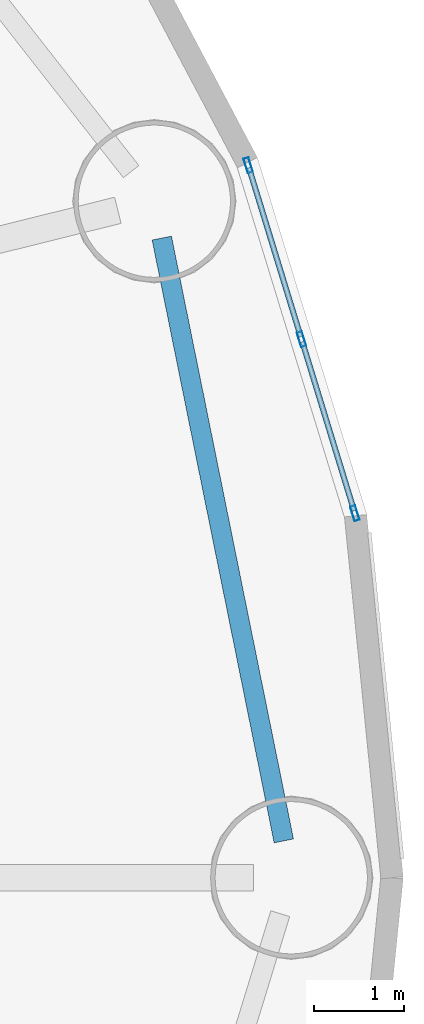
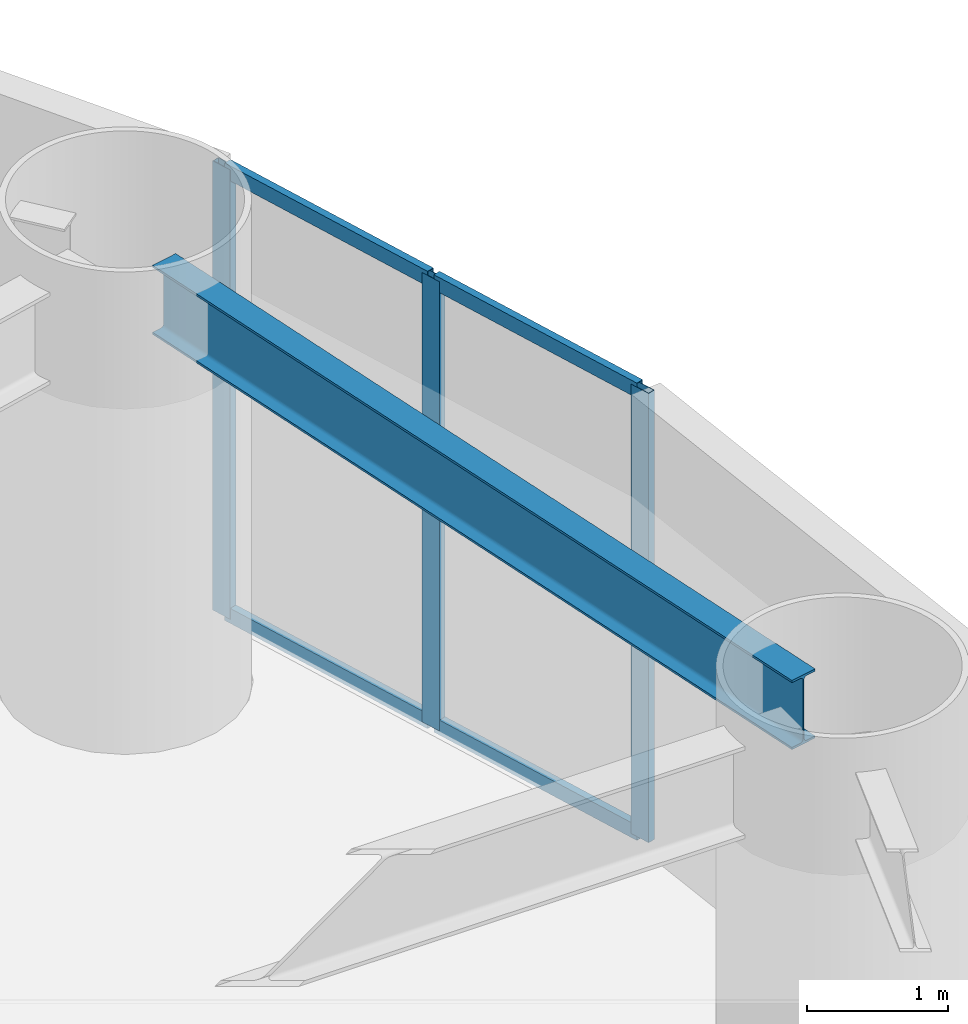
# One storey, part 11 of 30: 7 members, 1 beam, 1 element without a shape of its own.
"""IFC4 building model written with IfcOpenShell, lengths in metres."""

from ifc_helpers import new_model, si_unit, direction, frame, origin, origin_2d, place, context, subcontext, project, spatial, hollow_rectangle, i_section, extrude, source, transform, mapped, material, layer, layer_set, material_profile, profile_set, type_object, element, aggregate, save


model = new_model("IFC4")

# Units and contexts
model_context = context("Model", 3, precision=1e-05, world=origin(), true_north=direction((0.0, 1.0)))
body_context = subcontext(model_context, "Body", "Model", "MODEL_VIEW")
ifc_project = project(units=[si_unit("LENGTHUNIT", "METRE"), si_unit("AREAUNIT", "SQUARE_METRE"), si_unit("VOLUMEUNIT", "CUBIC_METRE"), si_unit("PLANEANGLEUNIT", "RADIAN"), si_unit("MASSUNIT", "GRAM", prefix="KILO")], contexts=[model_context])

# Site, building, storey
site_placement = place(None, origin())
site = spatial("IfcSite", under=ifc_project, at=site_placement, CompositionType="ELEMENT")
building_placement = place(site_placement, origin())
building = spatial("IfcBuilding", under=site, at=building_placement, Name="Linh Dai School and Residence Tower", CompositionType="ELEMENT")
storey_placement = place(building_placement, frame((0.0, 0.0, 10.199951171875)))
storey = spatial("IfcBuildingStorey", under=building, at=storey_placement, Name="L02", CompositionType="ELEMENT", Elevation=10.199951171875)

# Beam
ifc_material_1 = material(Name="Structural Steel S355JR", Category="steel")
ifc_material_profile_1 = material_profile(ifc_material_1, i_section(OverallWidth=0.219970703125, OverallDepth=0.60009765625, WebThickness=0.011962890625, FlangeThickness=0.01904296875, FilletRadius=0.02392578125, at=origin_2d()), Name="IPE 600")
ifc_profile_set_1 = profile_set([ifc_material_profile_1], Name="Structural Steel S355JR")
beam_type = type_object("IfcBeamType", Name="BM-RB60", PredefinedType="BEAM", material=ifc_profile_set_1)
beam_placement = place(storey_placement, frame((67.86669921875, 27.41162109375, 3.60009765625), z_axis=(-0.198405440792, 0.980120034008, 0.0), x_axis=(-0.980120034008, -0.198405440792, 0.0)))
element("IfcBeam", 1, at=beam_placement, inside=storey, type_object=beam_type, Name="L02 Perimeter Elliptical Ring Beam 01", PredefinedType="BEAM", context=body_context, shape_type="SweptSolid", body=[
    extrude(i_section(OverallWidth=0.219970703125, OverallDepth=0.60009765625, WebThickness=0.011962890625, FlangeThickness=0.01904296875, FilletRadius=0.02392578125, at=origin_2d()), origin(), (0.0, 0.0, 1.0), 6.86865234375),
])

# Curtain wall, members
ifc_material_2 = material(Name="Aluminium Anodised Curtain Wall", Category="aluminium")
ifc_layer = layer(ifc_material_2, 0.169921875)
ifc_layer_set = layer_set([ifc_layer], Name="Aluminium Anodised Curtain Wall")
curtain_wall_type = type_object("IfcCurtainWallType", Name="CW-SYS-2", PredefinedType="USERDEFINED", material=ifc_layer_set)
curtain_wall_placement = place(storey_placement, origin())
curtain_wall = element("IfcCurtainWall", 2, at=curtain_wall_placement, inside=storey, type_object=curtain_wall_type, Name="L02 CW2 Curtain Wall 02", ObjectType="UNITISED CURTAIN WALL", PredefinedType="USERDEFINED")
ifc_material_3 = material(Name="Aluminium Alloy 6063-T6", Category="aluminium")
ifc_material_profile_2 = material_profile(ifc_material_3, hollow_rectangle(XDim=0.06005859375, YDim=0.1298828125, WallThickness=0.00390625, at=origin_2d()), Name="RHS 130x60x4")
ifc_profile_set_2 = profile_set([ifc_material_profile_2], Name="Aluminium Alloy 6063-T6")
member_type_1 = type_object("IfcMemberType", Name="CW-SYS-2-TRN", PredefinedType="USERDEFINED", material=ifc_profile_set_2)
shared_shape_1 = source(origin(), body_context, "Body", "SweptSolid", [
    extrude(hollow_rectangle(XDim=0.06005859375, YDim=0.1298828125, WallThickness=0.00390625, at=origin_2d()), origin(), (0.0, 0.0, 1.0), 1.97265625),
])
member_1_placement = place(storey_placement, frame((67.477294921875, 34.92919921875, 0.030029296875), z_axis=(0.293076828505, -0.956088893667, 0.0), x_axis=(0.956088893667, 0.293076828505, 0.0)))
member_1 = element("IfcMember", 3, at=member_1_placement, type_object=member_type_1, Name="CW2 transom 1.1", ObjectType="TRANSOM", PredefinedType="USERDEFINED", context=body_context, shape_type="MappedRepresentation", body=[
    mapped(shared_shape_1, transform((0.0, 0.0, 0.0), x_axis=(1.0, 0.0, 0.0), y_axis=(0.0, 1.0, 0.0), z_axis=(0.0, 0.0, 1.0), scale=1.0)),
])
member_2_placement = place(storey_placement, frame((67.477294921875, 34.92919921875, 3.8701171875), z_axis=(0.293076828505, -0.956088893667, 0.0), x_axis=(0.956088893667, 0.293076828505, 0.0)))
member_2 = element("IfcMember", 4, at=member_2_placement, type_object=member_type_1, Name="CW2 transom 1.2", ObjectType="TRANSOM", PredefinedType="USERDEFINED", context=body_context, shape_type="MappedRepresentation", body=[
    mapped(shared_shape_1, transform((0.0, 0.0, 0.0), x_axis=(1.0, 0.0, 0.0), y_axis=(0.0, 1.0, 0.0), z_axis=(0.0, 0.0, 1.0), scale=1.0)),
])
member_3_placement = place(storey_placement, frame((68.072998046875, 32.98583984375, 0.030029296875), z_axis=(0.293076828505, -0.956088893667, 0.0), x_axis=(0.956088893667, 0.293076828505, 0.0)))
member_3 = element("IfcMember", 5, at=member_3_placement, type_object=member_type_1, Name="CW2 transom 2.1", ObjectType="TRANSOM", PredefinedType="USERDEFINED", context=body_context, shape_type="MappedRepresentation", body=[
    mapped(shared_shape_1, transform((0.0, 0.0, 0.0), x_axis=(1.0, 0.0, 0.0), y_axis=(0.0, 1.0, 0.0), z_axis=(0.0, 0.0, 1.0), scale=1.0)),
])
member_4_placement = place(storey_placement, frame((68.072998046875, 32.98583984375, 3.8701171875), z_axis=(0.293076828505, -0.956088893667, 0.0), x_axis=(0.956088893667, 0.293076828505, 0.0)))
member_4 = element("IfcMember", 6, at=member_4_placement, type_object=member_type_1, Name="CW2 transom 2.2", ObjectType="TRANSOM", PredefinedType="USERDEFINED", context=body_context, shape_type="MappedRepresentation", body=[
    mapped(shared_shape_1, transform((0.0, 0.0, 0.0), x_axis=(1.0, 0.0, 0.0), y_axis=(0.0, 1.0, 0.0), z_axis=(0.0, 0.0, 1.0), scale=1.0)),
])
ifc_material_profile_3 = material_profile(ifc_material_3, hollow_rectangle(XDim=0.06005859375, YDim=0.169921875, WallThickness=0.00390625, at=origin_2d()), Name="RHS 170x60x4")
ifc_profile_set_3 = profile_set([ifc_material_profile_3], Name="Aluminium Alloy 6063-T6")
member_type_2 = type_object("IfcMemberType", Name="CW-SYS-2-MUL", PredefinedType="MULLION", material=ifc_profile_set_3)
shared_shape_2 = source(origin(), body_context, "Body", "SweptSolid", [
    extrude(hollow_rectangle(XDim=0.06005859375, YDim=0.169921875, WallThickness=0.00390625, at=origin_2d()), origin(), (0.0, 0.0, 1.0), 3.900146484375),
])
member_5_placement = place(storey_placement, frame((67.468505859375, 34.957763671875, 0.0), z_axis=(0.0, 0.0, 1.0), x_axis=(0.956080668415, 0.293103659962, 0.0)))
member_5 = element("IfcMember", 7, at=member_5_placement, type_object=member_type_2, Name="CW2 mullion 1", PredefinedType="MULLION", context=body_context, shape_type="MappedRepresentation", body=[
    mapped(shared_shape_2, transform((0.0, 0.0, 0.0), x_axis=(1.0, 0.0, 0.0), y_axis=(0.0, 1.0, 0.0), z_axis=(0.0, 0.0, 1.0), scale=1.0)),
])
member_6_placement = place(storey_placement, frame((68.064208984375, 33.0146484375, 0.0), z_axis=(0.0, 0.0, 1.0), x_axis=(0.956080668415, 0.293103659962, 0.0)))
member_6 = element("IfcMember", 8, at=member_6_placement, type_object=member_type_2, Name="CW2 mullion 2", PredefinedType="MULLION", context=body_context, shape_type="MappedRepresentation", body=[
    mapped(shared_shape_2, transform((0.0, 0.0, 0.0), x_axis=(1.0, 0.0, 0.0), y_axis=(0.0, 1.0, 0.0), z_axis=(0.0, 0.0, 1.0), scale=1.0)),
])
member_7_placement = place(storey_placement, frame((68.659912109375, 31.0712890625, 0.0), z_axis=(0.0, 0.0, 1.0), x_axis=(0.956080668415, 0.293103659962, 0.0)))
member_7 = element("IfcMember", 9, at=member_7_placement, type_object=member_type_2, Name="CW2 mullion 3", PredefinedType="MULLION", context=body_context, shape_type="MappedRepresentation", body=[
    mapped(shared_shape_2, transform((0.0, 0.0, 0.0), x_axis=(1.0, 0.0, 0.0), y_axis=(0.0, 1.0, 0.0), z_axis=(0.0, 0.0, 1.0), scale=1.0)),
])
aggregate(curtain_wall, [member_5, member_6, member_7, member_1, member_2, member_3, member_4])

save(model, "model.ifc")
